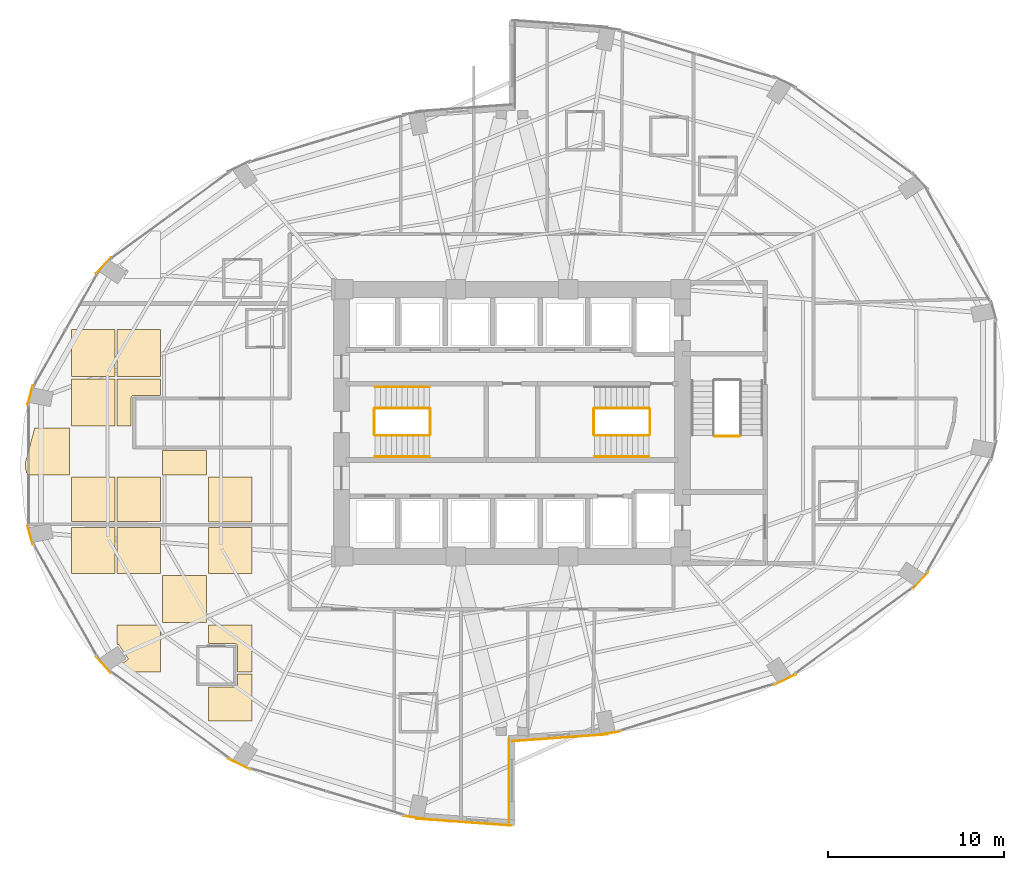
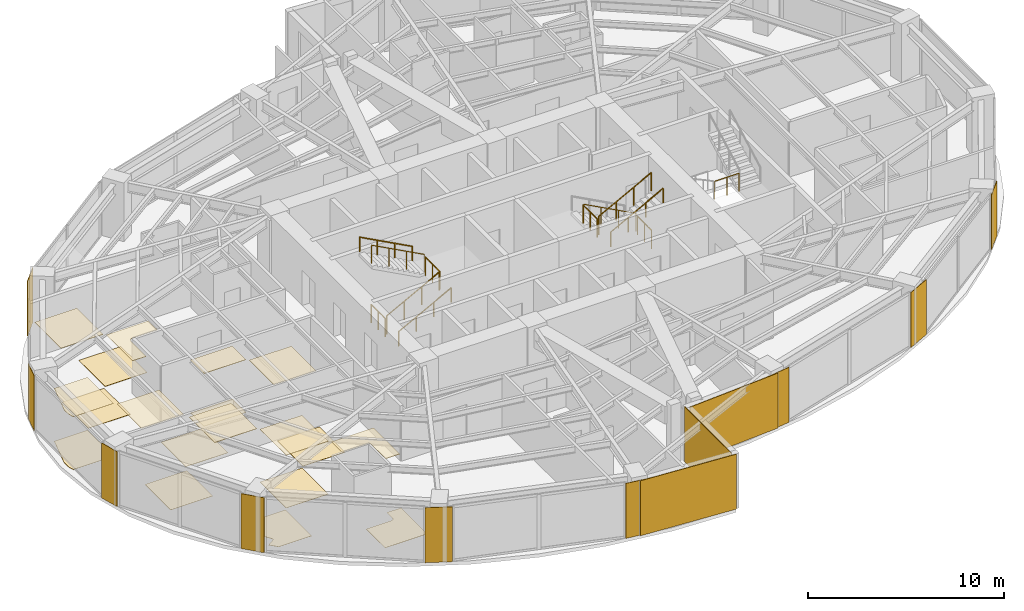
# One storey, part 24 of 25: 31 coverings, 12 railings.
"""IFC4 building model written with IfcOpenShell, lengths in metres."""

from ifc_helpers import new_model, si_unit, direction, frame, origin, origin_2d, place, context, subcontext, project, spatial, polyline, rectangle, circle, outline, extrude, material, layer, layer_set, type_object, element, save


model = new_model("IFC4")

# Units and contexts
model_context = context("Model", 3, precision=1e-05, world=origin(), true_north=direction((0.0, 1.0)))
body_context = subcontext(model_context, "Body", "Model", "MODEL_VIEW")
ifc_project = project(units=[si_unit("LENGTHUNIT", "METRE"), si_unit("AREAUNIT", "SQUARE_METRE"), si_unit("VOLUMEUNIT", "CUBIC_METRE"), si_unit("PLANEANGLEUNIT", "RADIAN"), si_unit("MASSUNIT", "GRAM", prefix="KILO")], contexts=[model_context])

# Site, building, storey
site_placement = place(None, origin())
site = spatial("IfcSite", under=ifc_project, at=site_placement, CompositionType="ELEMENT")
building_placement = place(site_placement, origin())
building = spatial("IfcBuilding", under=site, at=building_placement, Name="Lazwardi Medical Tower", CompositionType="ELEMENT")
storey_placement = place(building_placement, frame((0.0, 0.0, 28.847900390625)))
storey = spatial("IfcBuildingStorey", under=building, at=storey_placement, Name="L06", CompositionType="ELEMENT", Elevation=28.847900390625)

# Coverings
ifc_material_1 = material(Name="Anodised bronze aluminium cassette cladding", Category="aluminium")
ifc_layer_1 = layer(ifc_material_1, 0.030029296875)
ifc_layer_set_1 = layer_set([ifc_layer_1], Name="Anodised bronze aluminium cassette cladding")
covering_type_1 = type_object("IfcCoveringType", Name="COV-CLD-BRZ", PredefinedType="CLADDING", material=ifc_layer_set_1)
covering_1_placement = place(storey_placement, frame((41.454345703125, 10.33251953125, 0.0), z_axis=(0.0, 0.0, 1.0), x_axis=(0.98957259946, 0.144034962415, 0.0)))
element("IfcCovering", 1, at=covering_1_placement, inside=storey, type_object=covering_type_1, Name="L06 Mega-column bronze cassette cover M01", PredefinedType="CLADDING", context=body_context, shape_type="SweptSolid", body=[
    extrude(rectangle(XDim=1.49951171875, YDim=0.030029296875, at=origin_2d()), origin(), (0.0, 0.0, 1.0), 3.427978515625),
])
covering_2_placement = place(storey_placement, frame((51.532470703125, 13.3876953125, 0.0), z_axis=(0.0, 0.0, 1.0), x_axis=(0.898334492373, 0.439312121178, 0.0)))
element("IfcCovering", 2, at=covering_2_placement, inside=storey, type_object=covering_type_1, Name="L06 Mega-column bronze cassette cover M02", PredefinedType="CLADDING", context=body_context, shape_type="SweptSolid", body=[
    extrude(rectangle(XDim=1.400390625, YDim=0.030029296875, at=origin_2d()), origin(), (0.0, 0.0, 1.0), 3.427978515625),
])
for number, where, z_axis, x_axis, name in (
    (3, (59.24609375, 19.03271484375, 0.0), (0.0, 0.0, 1.0), (0.674252120961, 0.738501237223, 0.0), "L06 Mega-column bronze cassette cover M03"),
    (4, (12.75390625, 36.96728515625, 0.0), (0.0, 0.0, 1.0), (-0.674252120961, -0.738501237223, 0.0), "L06 Mega-column bronze cassette cover M11"),
):
    element("IfcCovering", number, at=place(storey_placement, frame(where, z_axis=z_axis, x_axis=x_axis)), inside=storey, type_object=covering_type_1, Name=name, PredefinedType="CLADDING", context=body_context, shape_type="SweptSolid", body=[
        extrude(rectangle(XDim=1.24658203125, YDim=0.030029296875, at=origin_2d()), origin(), (0.0, 0.0, 1.0), 3.427978515625),
    ])
for number, where, z_axis, x_axis, name in (
    (5, (8.579345703125, 29.591796875, 0.0), (0.0, 0.0, 1.0), (-0.262283496593, -0.964990863902, 0.0), "L06 Mega-column bronze cassette cover M12"),
    (6, (8.579345703125, 21.6083984375, 0.0), (0.0, 0.0, 1.0), (0.262283496593, -0.964990863902, 0.0), "L06 Mega-column bronze cassette cover M13"),
):
    element("IfcCovering", number, at=place(storey_placement, frame(where, z_axis=z_axis, x_axis=x_axis)), inside=storey, type_object=covering_type_1, Name=name, PredefinedType="CLADDING", context=body_context, shape_type="SweptSolid", body=[
        extrude(rectangle(XDim=1.12548828125, YDim=0.030029296875, at=origin_2d()), origin(), (0.0, 0.0, 1.0), 3.427978515625),
    ])
covering_3_placement = place(storey_placement, frame((12.75390625, 14.232666015625, 0.0), z_axis=(0.0, 0.0, 1.0), x_axis=(0.674252120961, -0.738501237223, 0.0)))
element("IfcCovering", 7, at=covering_3_placement, inside=storey, type_object=covering_type_1, Name="L06 Mega-column bronze cassette cover M14", PredefinedType="CLADDING", context=body_context, shape_type="SweptSolid", body=[
    extrude(rectangle(XDim=1.24658203125, YDim=0.030029296875, at=origin_2d()), origin(), (0.0, 0.0, 1.0), 3.427978515625),
])
covering_4_placement = place(storey_placement, frame((20.467529296875, 8.587646484375, 0.0), z_axis=(0.0, 0.0, 1.0), x_axis=(0.898334492373, -0.439312121178, 0.0)))
element("IfcCovering", 8, at=covering_4_placement, inside=storey, type_object=covering_type_1, Name="L06 Mega-column bronze cassette cover M15", PredefinedType="CLADDING", context=body_context, shape_type="SweptSolid", body=[
    extrude(rectangle(XDim=1.400390625, YDim=0.030029296875, at=origin_2d()), origin(), (0.0, 0.0, 1.0), 3.427978515625),
])
covering_5_placement = place(storey_placement, frame((30.545654296875, 5.53271484375, 0.0), z_axis=(0.0, 0.0, 1.0), x_axis=(0.98957259946, -0.144034962415, 0.0)))
element("IfcCovering", 9, at=covering_5_placement, inside=storey, type_object=covering_type_1, Name="L06 Mega-column bronze cassette cover M16", PredefinedType="CLADDING", context=body_context, shape_type="SweptSolid", body=[
    extrude(rectangle(XDim=1.49951171875, YDim=0.030029296875, at=origin_2d()), origin(), (0.0, 0.0, 1.0), 3.427978515625),
])
ifc_material_2 = material(Name="Turquoise glazed ceramic tilework cladding", Category="masonry")
ifc_layer_2 = layer(ifc_material_2, 0.034912109375)
ifc_layer_set_2 = layer_set([ifc_layer_2], Name="Turquoise glazed ceramic tilework cladding")
covering_type_2 = type_object("IfcCoveringType", Name="COV-CLD-TRQ", PredefinedType="CLADDING", material=ifc_layer_set_2)
covering_6_placement = place(storey_placement, frame((38.728271484375, 10.080322265625, 0.0), z_axis=(0.0, 0.0, 1.0), x_axis=(0.997421404513, 0.071767275412, 0.0)))
element("IfcCovering", 10, at=covering_6_placement, inside=storey, type_object=covering_type_2, Name="L06 Turquoise glazed ceramic tilework cladding", PredefinedType="CLADDING", context=body_context, shape_type="SweptSolid", body=[
    extrude(rectangle(XDim=5.4453125, YDim=0.034912109375, at=origin_2d()), origin(), (0.0, 0.0, 1.0), 3.427978515625),
])
covering_7_placement = place(storey_placement, frame((33.271484375, 5.280517578125, 0.0), z_axis=(0.0, 0.0, 1.0), x_axis=(0.997420903458, -0.071774238726, 0.0)))
element("IfcCovering", 11, at=covering_7_placement, inside=storey, type_object=covering_type_2, Name="L06 Turquoise glazed ceramic tilework cladding", PredefinedType="CLADDING", context=body_context, shape_type="SweptSolid", body=[
    extrude(rectangle(XDim=5.44482421875, YDim=0.034912109375, at=origin_2d()), origin(), (0.0, 0.0, 1.0), 3.427978515625),
])
covering_8_placement = place(storey_placement, frame((35.824462890625, 7.659912109375, 0.0), z_axis=(0.0, 0.0, 1.0), x_axis=(0.0, 1.0, 0.0)))
element("IfcCovering", 12, at=covering_8_placement, inside=storey, type_object=covering_type_2, Name="L06 Turquoise glazed ceramic tilework iwan panel", PredefinedType="CLADDING", context=body_context, shape_type="SweptSolid", body=[
    extrude(rectangle(XDim=4.800048828125, YDim=0.034912109375, at=origin_2d()), origin(), (0.0, 0.0, 1.0), 3.427978515625),
])
ifc_material_3 = material(Name="Acoustic mineral fibre tile")
ifc_layer_3 = layer(ifc_material_3, 0.02490234375)
ifc_layer_set_3 = layer_set([ifc_layer_3], Name="Acoustic mineral fibre tile")
covering_type_3 = type_object("IfcCoveringType", Name="COV-CLG-01", PredefinedType="CEILING", material=ifc_layer_set_3)
covering_9_placement = place(storey_placement, frame((0.0, 0.0, 3.283203125)))
element("IfcCovering", 13, at=covering_9_placement, inside=storey, type_object=covering_type_3, Name="L06 Clinical Acoustic Ceiling 1", PredefinedType="CEILING", context=body_context, shape_type="SweptSolid", body=[
    extrude(outline(polyline([(8.838134765625, 27.71240234375), (8.322998046875, 25.8203125), (8.322998046875, 25.379638671875), (8.41748046875, 25.032470703125), (10.802978515625, 25.032470703125), (10.802978515625, 27.71240234375), (8.838134765625, 27.71240234375)])), origin(), (0.0, 0.0, 1.0), 0.02490234375),
])
covering_10_placement = place(storey_placement, frame((0.0, 0.0, 3.283203125)))
element("IfcCovering", 14, at=covering_10_placement, inside=storey, type_object=covering_type_3, Name="L06 Clinical Acoustic Ceiling 2", PredefinedType="CEILING", context=body_context, shape_type="SweptSolid", body=[
    extrude(outline(polyline([(10.9228515625, 22.391357421875), (13.40283203125, 22.385986328125), (13.40283203125, 24.91259765625), (10.9228515625, 24.91259765625), (10.9228515625, 22.391357421875)])), origin(), (0.0, 0.0, 1.0), 0.02490234375),
])
covering_11_placement = place(storey_placement, frame((0.0, 0.0, 3.283203125)))
element("IfcCovering", 15, at=covering_11_placement, inside=storey, type_object=covering_type_3, Name="L06 Clinical Acoustic Ceiling 3", PredefinedType="CEILING", context=body_context, shape_type="SweptSolid", body=[
    extrude(outline(polyline([(13.40283203125, 30.632568359375), (13.40283203125, 33.3125), (10.9228515625, 33.3125), (10.9228515625, 30.632568359375), (13.40283203125, 30.632568359375)])), origin(), (0.0, 0.0, 1.0), 0.02490234375),
])
covering_12_placement = place(storey_placement, frame((0.0, 0.0, 3.283203125)))
element("IfcCovering", 16, at=covering_12_placement, inside=storey, type_object=covering_type_3, Name="L06 Clinical Acoustic Ceiling 4", PredefinedType="CEILING", context=body_context, shape_type="SweptSolid", body=[
    extrude(outline(polyline([(16.0029296875, 22.050537109375), (13.52294921875, 22.055908203125), (13.52294921875, 19.4326171875), (16.0029296875, 19.4326171875), (16.0029296875, 22.050537109375)])), origin(), (0.0, 0.0, 1.0), 0.02490234375),
])
covering_13_placement = place(storey_placement, frame((0.0, 0.0, 3.283203125)))
element("IfcCovering", 17, at=covering_13_placement, inside=storey, type_object=covering_type_3, Name="L06 Clinical Acoustic Ceiling 5", PredefinedType="CEILING", context=body_context, shape_type="SweptSolid", body=[
    extrude(outline(polyline([(14.324951171875, 27.83251953125), (14.324951171875, 29.39990234375), (14.3251953125, 29.404296875), (14.32568359375, 29.41357421875), (14.326416015625, 29.42041015625), (14.32763671875, 29.4296875), (14.3291015625, 29.43798828125), (14.33154296875, 29.447265625), (14.33349609375, 29.4541015625), (14.336669921875, 29.462890625), (14.340087890625, 29.470703125), (14.343994140625, 29.479248046875), (14.34765625, 29.486083984375), (14.352294921875, 29.493896484375), (14.35693359375, 29.500732421875), (14.362548828125, 29.50830078125), (14.3671875, 29.513916015625), (14.373291015625, 29.520751953125), (14.37939453125, 29.526611328125), (14.38623046875, 29.532958984375), (14.391845703125, 29.53759765625), (14.3994140625, 29.543212890625), (14.406005859375, 29.547607421875), (14.4140625, 29.552490234375), (14.4208984375, 29.555908203125), (14.42919921875, 29.56005859375), (14.43701171875, 29.563232421875), (14.44580078125, 29.56640625), (14.452880859375, 29.568603515625), (14.4619140625, 29.57080078125), (14.47021484375, 29.572509765625), (14.4794921875, 29.57373046875), (14.486328125, 29.574462890625), (14.49560546875, 29.574951171875), (14.5, 29.574951171875), (16.0029296875, 29.574951171875), (16.0029296875, 30.512451171875), (13.52294921875, 30.512451171875), (13.52294921875, 27.83251953125), (14.324951171875, 27.83251953125)])), origin(), (0.0, 0.0, 1.0), 0.02490234375),
])
covering_14_placement = place(storey_placement, frame((0.0, 0.0, 3.283203125)))
element("IfcCovering", 18, at=covering_14_placement, inside=storey, type_object=covering_type_3, Name="L06 Clinical Acoustic Ceiling 7", PredefinedType="CEILING", context=body_context, shape_type="SweptSolid", body=[
    extrude(outline(polyline([(18.602783203125, 16.632568359375), (18.602783203125, 19.3125), (16.122802734375, 19.3125), (16.122802734375, 16.632568359375), (18.602783203125, 16.632568359375)])), origin(), (0.0, 0.0, 1.0), 0.02490234375),
])
covering_15_placement = place(storey_placement, frame((0.0, 0.0, 3.283203125)))
element("IfcCovering", 19, at=covering_15_placement, inside=storey, type_object=covering_type_3, Name="L06 Clinical Acoustic Ceiling 8", PredefinedType="CEILING", context=body_context, shape_type="SweptSolid", body=[
    extrude(outline(polyline([(18.602783203125, 26.425048828125), (16.122802734375, 26.425048828125), (16.122802734375, 25.032470703125), (18.602783203125, 25.032470703125), (18.602783203125, 26.425048828125)])), origin(), (0.0, 0.0, 1.0), 0.02490234375),
])
covering_16_placement = place(storey_placement, frame((0.0, 0.0, 3.283203125)))
element("IfcCovering", 20, at=covering_16_placement, inside=storey, type_object=covering_type_3, Name="L06 Clinical Acoustic Ceiling 9", PredefinedType="CEILING", context=body_context, shape_type="SweptSolid", body=[
    extrude(outline(polyline([(18.722900390625, 15.435302734375), (20.218017578125, 15.435302734375), (20.221435546875, 15.435302734375), (20.228271484375, 15.43505859375), (20.236328125, 15.43408203125), (20.2431640625, 15.43310546875), (20.251220703125, 15.431640625), (20.258056640625, 15.429931640625), (20.265380859375, 15.427734375), (20.271728515625, 15.42529296875), (20.278564453125, 15.422607421875), (20.284912109375, 15.419677734375), (20.29248046875, 15.41552734375), (20.298583984375, 15.411865234375), (20.30419921875, 15.408203125), (20.309814453125, 15.404052734375), (20.316650390625, 15.3984375), (20.321533203125, 15.393798828125), (20.326171875, 15.38916015625), (20.330810546875, 15.384033203125), (20.336181640625, 15.377685546875), (20.34033203125, 15.3720703125), (20.344970703125, 15.364990234375), (20.348388671875, 15.359130859375), (20.352294921875, 15.352294921875), (20.35498046875, 15.34619140625), (20.35791015625, 15.33935546875), (20.360107421875, 15.3330078125), (20.3623046875, 15.325439453125), (20.364013671875, 15.31884765625), (20.36572265625, 15.310791015625), (20.36669921875, 15.303955078125), (20.367431640625, 15.2958984375), (20.367919921875, 15.288818359375), (20.367919921875, 15.285400390625), (20.367919921875, 13.83251953125), (21.202880859375, 13.83251953125), (21.202880859375, 16.512451171875), (18.722900390625, 16.512451171875), (18.722900390625, 15.435302734375)])), origin(), (0.0, 0.0, 1.0), 0.02490234375),
])
covering_17_placement = place(storey_placement, frame((0.0, 0.0, 3.283203125)))
element("IfcCovering", 21, at=covering_17_placement, inside=storey, type_object=covering_type_3, Name="L06 Clinical Acoustic Ceiling 10", PredefinedType="CEILING", context=body_context, shape_type="SweptSolid", body=[
    extrude(outline(polyline([(18.722900390625, 22.374755859375), (21.202880859375, 22.369384765625), (21.202880859375, 24.91259765625), (18.722900390625, 24.91259765625), (18.722900390625, 22.374755859375)])), origin(), (0.0, 0.0, 1.0), 0.02490234375),
])
ifc_material_4 = material(Name="Anti-static hospital vinyl sheet flooring")
ifc_layer_4 = layer(ifc_material_4, 0.014892578125)
ifc_layer_set_4 = layer_set([ifc_layer_4], Name="Anti-static hospital vinyl sheet flooring")
covering_type_4 = type_object("IfcCoveringType", Name="COV-FLR-01", PredefinedType="FLOORING", material=ifc_layer_set_4)
covering_18_placement = place(storey_placement, origin())
element("IfcCovering", 22, at=covering_18_placement, inside=storey, type_object=covering_type_4, Name="L06 Clinical Vinyl Flooring 1", PredefinedType="FLOORING", context=body_context, shape_type="SweptSolid", body=[
    extrude(outline(polyline([(8.838134765625, 27.71240234375), (8.322998046875, 25.8203125), (8.322998046875, 25.379638671875), (8.41748046875, 25.032470703125), (10.802978515625, 25.032470703125), (10.802978515625, 27.71240234375), (8.838134765625, 27.71240234375)])), origin(), (0.0, 0.0, 1.0), 0.01513671875),
])
covering_19_placement = place(storey_placement, origin())
element("IfcCovering", 23, at=covering_19_placement, inside=storey, type_object=covering_type_4, Name="L06 Clinical Vinyl Flooring 2", PredefinedType="FLOORING", context=body_context, shape_type="SweptSolid", body=[
    extrude(outline(polyline([(13.40283203125, 22.055908203125), (10.9228515625, 22.061279296875), (10.9228515625, 19.4326171875), (13.40283203125, 19.4326171875), (13.40283203125, 22.055908203125)])), origin(), (0.0, 0.0, 1.0), 0.01513671875),
])
covering_20_placement = place(storey_placement, origin())
element("IfcCovering", 24, at=covering_20_placement, inside=storey, type_object=covering_type_4, Name="L06 Clinical Vinyl Flooring 3", PredefinedType="FLOORING", context=body_context, shape_type="SweptSolid", body=[
    extrude(outline(polyline([(13.40283203125, 27.83251953125), (13.40283203125, 30.512451171875), (10.9228515625, 30.512451171875), (10.9228515625, 27.83251953125), (13.40283203125, 27.83251953125)])), origin(), (0.0, 0.0, 1.0), 0.01513671875),
])
covering_21_placement = place(storey_placement, origin())
element("IfcCovering", 25, at=covering_21_placement, inside=storey, type_object=covering_type_4, Name="L06 Clinical Vinyl Flooring 4", PredefinedType="FLOORING", context=body_context, shape_type="SweptSolid", body=[
    extrude(outline(polyline([(13.52294921875, 15.385498046875), (13.52880859375, 15.388916015625), (13.535888671875, 15.39208984375), (13.543212890625, 15.39501953125), (13.55078125, 15.396728515625), (13.55859375, 15.39794921875), (13.56640625, 15.398193359375), (13.57421875, 15.39794921875), (13.58203125, 15.396728515625), (13.589599609375, 15.39501953125), (13.596923828125, 15.39208984375), (13.60400390625, 15.388916015625), (13.61083984375, 15.384765625), (13.6171875, 15.380126953125), (13.623046875, 15.375), (13.628173828125, 15.369140625), (13.6328125, 15.36279296875), (14.1328125, 14.614501953125), (14.136962890625, 14.607666015625), (14.140380859375, 14.6005859375), (14.14306640625, 14.59326171875), (14.14501953125, 14.585693359375), (14.14599609375, 14.577880859375), (14.146484375, 14.570068359375), (14.14599609375, 14.562255859375), (14.14501953125, 14.554443359375), (14.14306640625, 14.546875), (14.140380859375, 14.539306640625), (14.136962890625, 14.5322265625), (14.1328125, 14.525634765625), (14.128173828125, 14.519287109375), (14.123046875, 14.513427734375), (14.1171875, 14.50830078125), (14.11083984375, 14.50341796875), (13.69677734375, 14.226806640625), (14.057373046875, 13.83251953125), (16.0029296875, 13.83251953125), (16.0029296875, 16.512451171875), (13.52294921875, 16.512451171875), (13.52294921875, 15.385498046875)])), origin(), (0.0, 0.0, 1.0), 0.01513671875),
])
covering_22_placement = place(storey_placement, origin())
element("IfcCovering", 26, at=covering_22_placement, inside=storey, type_object=covering_type_4, Name="L06 Clinical Vinyl Flooring 5", PredefinedType="FLOORING", context=body_context, shape_type="SweptSolid", body=[
    extrude(outline(polyline([(13.52294921875, 22.3857421875), (16.0029296875, 22.380615234375), (16.0029296875, 24.91259765625), (13.52294921875, 24.91259765625), (13.52294921875, 22.3857421875)])), origin(), (0.0, 0.0, 1.0), 0.01513671875),
])
covering_23_placement = place(storey_placement, origin())
element("IfcCovering", 27, at=covering_23_placement, inside=storey, type_object=covering_type_4, Name="L06 Clinical Vinyl Flooring 6", PredefinedType="FLOORING", context=body_context, shape_type="SweptSolid", body=[
    extrude(outline(polyline([(16.0029296875, 30.632568359375), (16.0029296875, 33.3125), (13.52294921875, 33.3125), (13.52294921875, 30.632568359375), (16.0029296875, 30.632568359375)])), origin(), (0.0, 0.0, 1.0), 0.01513671875),
])
covering_24_placement = place(storey_placement, origin())
element("IfcCovering", 28, at=covering_24_placement, inside=storey, type_object=covering_type_4, Name="L06 Clinical Vinyl Flooring 7", PredefinedType="FLOORING", context=body_context, shape_type="SweptSolid", body=[
    extrude(outline(polyline([(18.602783203125, 16.632568359375), (18.602783203125, 19.3125), (16.122802734375, 19.3125), (16.122802734375, 16.632568359375), (18.602783203125, 16.632568359375)])), origin(), (0.0, 0.0, 1.0), 0.01513671875),
])
covering_25_placement = place(storey_placement, origin())
element("IfcCovering", 29, at=covering_25_placement, inside=storey, type_object=covering_type_4, Name="L06 Clinical Vinyl Flooring 8", PredefinedType="FLOORING", context=body_context, shape_type="SweptSolid", body=[
    extrude(outline(polyline([(18.602783203125, 26.425048828125), (16.122802734375, 26.425048828125), (16.122802734375, 25.032470703125), (18.602783203125, 25.032470703125), (18.602783203125, 26.425048828125)])), origin(), (0.0, 0.0, 1.0), 0.01513671875),
])
covering_26_placement = place(storey_placement, origin())
element("IfcCovering", 30, at=covering_26_placement, inside=storey, type_object=covering_type_4, Name="L06 Clinical Vinyl Flooring 9", PredefinedType="FLOORING", context=body_context, shape_type="SweptSolid", body=[
    extrude(outline(polyline([(20.367919921875, 13.71240234375), (20.367919921875, 13.12548828125), (20.367919921875, 13.121826171875), (20.367431640625, 13.114990234375), (20.36669921875, 13.10693359375), (20.36572265625, 13.10009765625), (20.364013671875, 13.092041015625), (20.3623046875, 13.08544921875), (20.3603515625, 13.078369140625), (20.35791015625, 13.072021484375), (20.35498046875, 13.064697265625), (20.352294921875, 13.05859375), (20.348388671875, 13.051513671875), (20.344970703125, 13.045654296875), (20.34033203125, 13.038818359375), (20.336181640625, 13.033203125), (20.330810546875, 13.02685546875), (20.326171875, 13.021728515625), (20.321533203125, 13.01708984375), (20.316650390625, 13.012451171875), (20.309814453125, 13.0068359375), (20.30419921875, 13.002685546875), (20.297607421875, 12.998291015625), (20.291748046875, 12.994873046875), (20.284912109375, 12.9912109375), (20.278564453125, 12.98828125), (20.272705078125, 12.98583984375), (20.266357421875, 12.9833984375), (20.2568359375, 12.980712890625), (20.250244140625, 12.97900390625), (20.2431640625, 12.977783203125), (20.236328125, 12.976806640625), (20.2294921875, 12.975830078125), (20.222412109375, 12.9755859375), (20.218017578125, 12.975341796875), (18.722900390625, 12.975341796875), (18.722900390625, 11.032470703125), (21.202880859375, 11.032470703125), (21.202880859375, 13.71240234375), (20.367919921875, 13.71240234375)])), origin(), (0.0, 0.0, 1.0), 0.01513671875),
])
covering_27_placement = place(storey_placement, origin())
element("IfcCovering", 31, at=covering_27_placement, inside=storey, type_object=covering_type_4, Name="L06 Clinical Vinyl Flooring 10", PredefinedType="FLOORING", context=body_context, shape_type="SweptSolid", body=[
    extrude(outline(polyline([(21.202880859375, 22.03955078125), (18.722900390625, 22.044921875), (18.722900390625, 19.4326171875), (21.202880859375, 19.4326171875), (21.202880859375, 22.03955078125)])), origin(), (0.0, 0.0, 1.0), 0.01513671875),
])

# Railings
ifc_material_5 = material(Name="Stainless steel Grade 316", Category="steel")
railing_type_1 = type_object("IfcRailingType", Name="RLG-GRD-1150", PredefinedType="GUARDRAIL", material=ifc_material_5)
railing_1_placement = place(storey_placement, frame((28.199951171875, 27.2900390625, 0.166015625)))
element("IfcRailing", 32, at=railing_1_placement, inside=storey, type_object=railing_type_1, Name="L06 ST1 stair guard 1", PredefinedType="GUARDRAIL", context=body_context, shape_type="SweptSolid", body=[
    extrude(circle(Radius=0.02392578125, at=origin_2d()), frame((0.0, 0.0, 1.1259765625), z_axis=(0.881783298633, 0.0, 0.471654761719), x_axis=(0.0, 1.0, 0.0)), (0.0, 0.0, 1.0), 3.515625),
    extrude(circle(Radius=0.02099609375, at=origin_2d()), origin(), (0.0, 0.0, 1.0), 1.099853515625),
    extrude(circle(Radius=0.02099609375, at=origin_2d()), frame((1.033447265625, 0.0, 0.552734375)), (0.0, 0.0, 1.0), 1.099853515625),
    extrude(circle(Radius=0.02099609375, at=origin_2d()), frame((2.066650390625, 0.0, 1.10546875)), (0.0, 0.0, 1.0), 1.099853515625),
    extrude(circle(Radius=0.02099609375, at=origin_2d()), frame((3.10009765625, 0.0, 1.658203125)), (0.0, 0.0, 1.0), 1.099853515625),
])
railing_2_placement = place(storey_placement, frame((31.35009765625, 27.340087890625, 1.82421875)))
element("IfcRailing", 33, at=railing_2_placement, inside=storey, type_object=railing_type_1, Name="L06 ST1 stair guard 2", PredefinedType="GUARDRAIL", context=body_context, shape_type="SweptSolid", body=[
    extrude(circle(Radius=0.02392578125, at=origin_2d()), frame((0.0, 0.0, 1.1259765625), z_axis=(0.0, 1.0, 0.0), x_axis=(-1.0, 0.0, 0.0)), (0.0, 0.0, 1.0), 1.43994140625),
    extrude(circle(Radius=0.02099609375, at=origin_2d()), origin(), (0.0, 0.0, 1.0), 1.099853515625),
    extrude(circle(Radius=0.02099609375, at=origin_2d()), frame((0.0, 0.719970703125, 0.0)), (0.0, 0.0, 1.0), 1.099853515625),
    extrude(circle(Radius=0.02099609375, at=origin_2d()), frame((0.0, 1.43994140625, 0.0)), (0.0, 0.0, 1.0), 1.099853515625),
])
railing_3_placement = place(storey_placement, frame((31.300048828125, 28.830078125, 1.989990234375)))
element("IfcRailing", 34, at=railing_3_placement, inside=storey, type_object=railing_type_1, Name="L06 ST1 stair guard 3", PredefinedType="GUARDRAIL", context=body_context, shape_type="SweptSolid", body=[
    extrude(circle(Radius=0.02392578125, at=origin_2d()), frame((0.0, 0.0, 1.1259765625), z_axis=(-0.881783298633, 0.0, 0.471654761719), x_axis=(0.0, -1.0, 0.0)), (0.0, 0.0, 1.0), 3.515625),
    extrude(circle(Radius=0.02099609375, at=origin_2d()), origin(), (0.0, 0.0, 1.0), 1.099853515625),
    extrude(circle(Radius=0.02099609375, at=origin_2d()), frame((-1.033447265625, 0.0, 0.552734375)), (0.0, 0.0, 1.0), 1.099853515625),
    extrude(circle(Radius=0.02099609375, at=origin_2d()), frame((-2.066650390625, 0.0, 1.10546875)), (0.0, 0.0, 1.0), 1.099853515625),
    extrude(circle(Radius=0.02099609375, at=origin_2d()), frame((-3.10009765625, 0.0, 1.658203125)), (0.0, 0.0, 1.0), 1.099853515625),
])
railing_4_placement = place(storey_placement, frame((28.14990234375, 27.340087890625, 0.0)))
element("IfcRailing", 35, at=railing_4_placement, inside=storey, type_object=railing_type_1, Name="L06 ST1 stair guard 4", PredefinedType="GUARDRAIL", context=body_context, shape_type="SweptSolid", body=[
    extrude(circle(Radius=0.02392578125, at=origin_2d()), frame((0.0, 0.0, 1.1259765625), z_axis=(0.0, 1.0, 0.0), x_axis=(-1.0, 0.0, 0.0)), (0.0, 0.0, 1.0), 1.43994140625),
    extrude(circle(Radius=0.02099609375, at=origin_2d()), origin(), (0.0, 0.0, 1.0), 1.099853515625),
    extrude(circle(Radius=0.02099609375, at=origin_2d()), frame((0.0, 0.719970703125, 0.0)), (0.0, 0.0, 1.0), 1.099853515625),
    extrude(circle(Radius=0.02099609375, at=origin_2d()), frame((0.0, 1.43994140625, 0.0)), (0.0, 0.0, 1.0), 1.099853515625),
])
railing_5_placement = place(storey_placement, frame((43.800048828125, 28.830078125, 0.166015625)))
element("IfcRailing", 36, at=railing_5_placement, inside=storey, type_object=railing_type_1, Name="L06 ST2 stair guard 1", PredefinedType="GUARDRAIL", context=body_context, shape_type="SweptSolid", body=[
    extrude(circle(Radius=0.02392578125, at=origin_2d()), frame((0.0, 0.0, 1.1259765625), z_axis=(-0.881783298633, 0.0, 0.471654761719), x_axis=(0.0, -1.0, 0.0)), (0.0, 0.0, 1.0), 3.515625),
    extrude(circle(Radius=0.02099609375, at=origin_2d()), origin(), (0.0, 0.0, 1.0), 1.099853515625),
    extrude(circle(Radius=0.02099609375, at=origin_2d()), frame((-1.033447265625, 0.0, 0.552734375)), (0.0, 0.0, 1.0), 1.099853515625),
    extrude(circle(Radius=0.02099609375, at=origin_2d()), frame((-2.066650390625, 0.0, 1.10546875)), (0.0, 0.0, 1.0), 1.099853515625),
    extrude(circle(Radius=0.02099609375, at=origin_2d()), frame((-3.10009765625, 0.0, 1.658203125)), (0.0, 0.0, 1.0), 1.099853515625),
])
railing_6_placement = place(storey_placement, frame((40.64990234375, 28.780029296875, 1.82421875)))
element("IfcRailing", 37, at=railing_6_placement, inside=storey, type_object=railing_type_1, Name="L06 ST2 stair guard 2", PredefinedType="GUARDRAIL", context=body_context, shape_type="SweptSolid", body=[
    extrude(circle(Radius=0.02392578125, at=origin_2d()), frame((0.0, 0.0, 1.1259765625), z_axis=(0.0, -1.0, 0.0), x_axis=(1.0, 0.0, 0.0)), (0.0, 0.0, 1.0), 1.43994140625),
    extrude(circle(Radius=0.02099609375, at=origin_2d()), origin(), (0.0, 0.0, 1.0), 1.099853515625),
    extrude(circle(Radius=0.02099609375, at=origin_2d()), frame((0.0, -0.719970703125, 0.0)), (0.0, 0.0, 1.0), 1.099853515625),
    extrude(circle(Radius=0.02099609375, at=origin_2d()), frame((0.0, -1.43994140625, 0.0)), (0.0, 0.0, 1.0), 1.099853515625),
])
railing_7_placement = place(storey_placement, frame((40.699951171875, 27.2900390625, 1.989990234375)))
element("IfcRailing", 38, at=railing_7_placement, inside=storey, type_object=railing_type_1, Name="L06 ST2 stair guard 3", PredefinedType="GUARDRAIL", context=body_context, shape_type="SweptSolid", body=[
    extrude(circle(Radius=0.02392578125, at=origin_2d()), frame((0.0, 0.0, 1.1259765625), z_axis=(0.881783298633, 0.0, 0.471654761719), x_axis=(0.0, 1.0, 0.0)), (0.0, 0.0, 1.0), 3.515625),
    extrude(circle(Radius=0.02099609375, at=origin_2d()), origin(), (0.0, 0.0, 1.0), 1.099853515625),
    extrude(circle(Radius=0.02099609375, at=origin_2d()), frame((1.033447265625, 0.0, 0.552734375)), (0.0, 0.0, 1.0), 1.099853515625),
    extrude(circle(Radius=0.02099609375, at=origin_2d()), frame((2.066650390625, 0.0, 1.10546875)), (0.0, 0.0, 1.0), 1.099853515625),
    extrude(circle(Radius=0.02099609375, at=origin_2d()), frame((3.10009765625, 0.0, 1.658203125)), (0.0, 0.0, 1.0), 1.099853515625),
])
railing_8_placement = place(storey_placement, frame((43.85009765625, 28.780029296875, 0.0)))
element("IfcRailing", 39, at=railing_8_placement, inside=storey, type_object=railing_type_1, Name="L06 ST2 stair guard 4", PredefinedType="GUARDRAIL", context=body_context, shape_type="SweptSolid", body=[
    extrude(circle(Radius=0.02392578125, at=origin_2d()), frame((0.0, 0.0, 1.1259765625), z_axis=(0.0, -1.0, 0.0), x_axis=(1.0, 0.0, 0.0)), (0.0, 0.0, 1.0), 1.43994140625),
    extrude(circle(Radius=0.02099609375, at=origin_2d()), origin(), (0.0, 0.0, 1.0), 1.099853515625),
    extrude(circle(Radius=0.02099609375, at=origin_2d()), frame((0.0, -0.719970703125, 0.0)), (0.0, 0.0, 1.0), 1.099853515625),
    extrude(circle(Radius=0.02099609375, at=origin_2d()), frame((0.0, -1.43994140625, 0.0)), (0.0, 0.0, 1.0), 1.099853515625),
])
railing_9_placement = place(storey_placement, frame((47.52001953125, 27.25, 1.82421875)))
element("IfcRailing", 40, at=railing_9_placement, inside=storey, type_object=railing_type_1, Name="L06 ST3 stair guard 2", PredefinedType="GUARDRAIL", context=body_context, shape_type="SweptSolid", body=[
    extrude(circle(Radius=0.02392578125, at=origin_2d()), frame((0.0, 0.0, 1.1259765625), z_axis=(1.0, 0.0, 0.0), x_axis=(0.0, 1.0, 0.0)), (0.0, 0.0, 1.0), 1.43994140625),
    extrude(circle(Radius=0.02099609375, at=origin_2d()), origin(), (0.0, 0.0, 1.0), 1.099853515625),
    extrude(circle(Radius=0.02099609375, at=origin_2d()), frame((0.719970703125, 0.0, 0.0)), (0.0, 0.0, 1.0), 1.099853515625),
    extrude(circle(Radius=0.02099609375, at=origin_2d()), frame((1.43994140625, 0.0, 0.0)), (0.0, 0.0, 1.0), 1.099853515625),
])
railing_type_2 = type_object("IfcRailingType", Name="RLG-HND-920", PredefinedType="HANDRAIL", material=ifc_material_5)
railing_10_placement = place(storey_placement, frame((28.199951171875, 26.070068359375, 0.166015625)))
element("IfcRailing", 41, at=railing_10_placement, inside=storey, type_object=railing_type_2, Name="L06 ST1 stair handrail 1", PredefinedType="HANDRAIL", context=body_context, shape_type="SweptSolid", body=[
    extrude(circle(Radius=0.02392578125, at=origin_2d()), frame((0.0, 0.0, 0.8857421875), z_axis=(0.881783298633, 0.0, 0.471654761719), x_axis=(0.0, 1.0, 0.0)), (0.0, 0.0, 1.0), 3.515625),
    extrude(circle(Radius=0.02099609375, at=origin_2d()), origin(), (0.0, 0.0, 1.0), 0.85986328125),
    extrude(circle(Radius=0.02099609375, at=origin_2d()), frame((1.033447265625, 0.0, 0.552734375)), (0.0, 0.0, 1.0), 0.85986328125),
    extrude(circle(Radius=0.02099609375, at=origin_2d()), frame((2.066650390625, 0.0, 1.10546875)), (0.0, 0.0, 1.0), 0.85986328125),
    extrude(circle(Radius=0.02099609375, at=origin_2d()), frame((3.10009765625, 0.0, 1.658203125)), (0.0, 0.0, 1.0), 0.85986328125),
])
railing_11_placement = place(storey_placement, frame((31.300048828125, 30.050048828125, 1.989990234375)))
element("IfcRailing", 42, at=railing_11_placement, inside=storey, type_object=railing_type_2, Name="L06 ST1 stair handrail 2", PredefinedType="HANDRAIL", context=body_context, shape_type="SweptSolid", body=[
    extrude(circle(Radius=0.02392578125, at=origin_2d()), frame((0.0, 0.0, 0.8857421875), z_axis=(-0.881783298633, 0.0, 0.471654761719), x_axis=(0.0, -1.0, 0.0)), (0.0, 0.0, 1.0), 3.515625),
    extrude(circle(Radius=0.02099609375, at=origin_2d()), origin(), (0.0, 0.0, 1.0), 0.85986328125),
    extrude(circle(Radius=0.02099609375, at=origin_2d()), frame((-1.033447265625, 0.0, 0.552734375)), (0.0, 0.0, 1.0), 0.85986328125),
    extrude(circle(Radius=0.02099609375, at=origin_2d()), frame((-2.066650390625, 0.0, 1.10546875)), (0.0, 0.0, 1.0), 0.85986328125),
    extrude(circle(Radius=0.02099609375, at=origin_2d()), frame((-3.10009765625, 0.0, 1.658203125)), (0.0, 0.0, 1.0), 0.85986328125),
])
railing_12_placement = place(storey_placement, frame((40.699951171875, 26.070068359375, 1.989990234375)))
element("IfcRailing", 43, at=railing_12_placement, inside=storey, type_object=railing_type_2, Name="L06 ST2 stair handrail 2", PredefinedType="HANDRAIL", context=body_context, shape_type="SweptSolid", body=[
    extrude(circle(Radius=0.02392578125, at=origin_2d()), frame((0.0, 0.0, 0.8857421875), z_axis=(0.881783298633, 0.0, 0.471654761719), x_axis=(0.0, 1.0, 0.0)), (0.0, 0.0, 1.0), 3.515625),
    extrude(circle(Radius=0.02099609375, at=origin_2d()), origin(), (0.0, 0.0, 1.0), 0.85986328125),
    extrude(circle(Radius=0.02099609375, at=origin_2d()), frame((1.033447265625, 0.0, 0.552734375)), (0.0, 0.0, 1.0), 0.85986328125),
    extrude(circle(Radius=0.02099609375, at=origin_2d()), frame((2.066650390625, 0.0, 1.10546875)), (0.0, 0.0, 1.0), 0.85986328125),
    extrude(circle(Radius=0.02099609375, at=origin_2d()), frame((3.10009765625, 0.0, 1.658203125)), (0.0, 0.0, 1.0), 0.85986328125),
])

save(model, "model.ifc")
